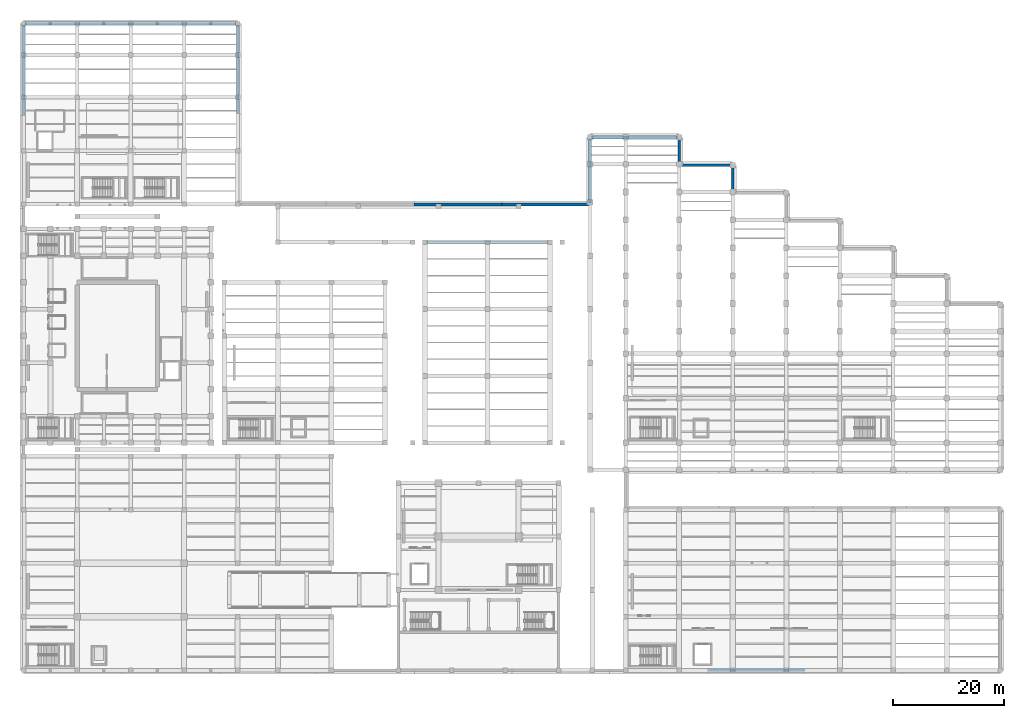
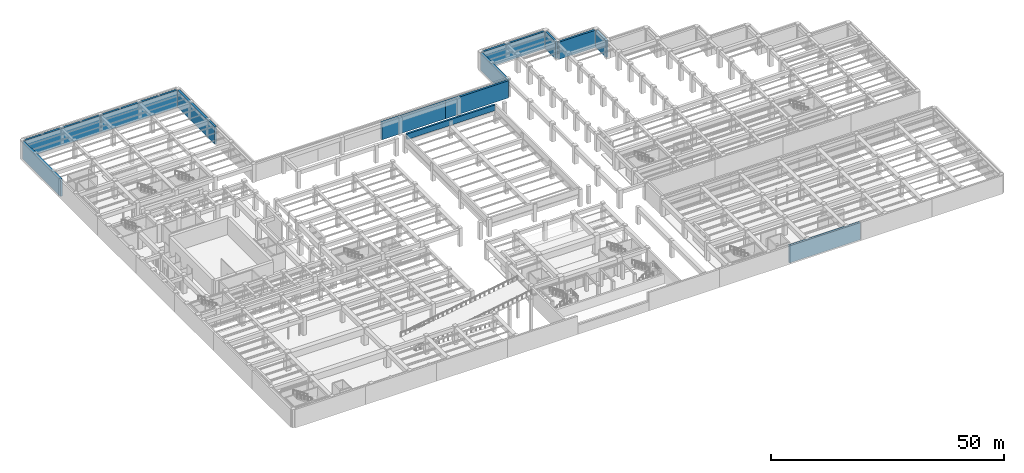
# One storey, part 28 of 45: 13 walls.
"""IFC4 building model written with IfcOpenShell, lengths in metres."""

from ifc_helpers import new_model, si_unit, direction, frame, frame_2d, origin, place, context, subcontext, project, spatial, rectangle, extrude, material, layer, layer_set, type_object, element, save


model = new_model("IFC4")

# Units and contexts
model_context = context("Model", 3, precision=1e-05, world=origin(), true_north=direction((0.0, 1.0)))
body_context = subcontext(model_context, "Body", "Model", "MODEL_VIEW")
ifc_project = project(units=[si_unit("LENGTHUNIT", "METRE"), si_unit("AREAUNIT", "SQUARE_METRE"), si_unit("VOLUMEUNIT", "CUBIC_METRE"), si_unit("PLANEANGLEUNIT", "RADIAN"), si_unit("MASSUNIT", "GRAM", prefix="KILO")], contexts=[model_context])

# Site, building, storey
site_placement = place(None, origin())
site = spatial("IfcSite", under=ifc_project, at=site_placement, CompositionType="ELEMENT")
building_placement = place(site_placement, origin())
building = spatial("IfcBuilding", under=site, at=building_placement, Name="Mavantir Sound Aquarium", CompositionType="ELEMENT")
storey_placement = place(building_placement, frame((0.0, 0.0, -4.800048828125)))
storey = spatial("IfcBuildingStorey", under=building, at=storey_placement, Name="B1", CompositionType="ELEMENT", Elevation=-4.800048828125)

# Walls
ifc_material = material(Name="Concrete C40/50", Category="concrete")
ifc_layer = layer(ifc_material, 0.5, Name="Concrete C40/50")
ifc_layer_set = layer_set([ifc_layer], Name="Concrete C40/50")
wall_type = type_object("IfcWallType", Name="SW-RET-500", PredefinedType="USERDEFINED", material=ifc_layer_set)
wall_1_placement = place(storey_placement, frame((0.0, 99.428955078125, 0.0), z_axis=(0.0, 0.0, 1.0), x_axis=(0.0, 1.0, 0.0)))
element("IfcWall", 1, at=wall_1_placement, inside=storey, type_object=wall_type, Name="B1 perimeter plinth retaining wall 14", ObjectType="RETAINING WALL", PredefinedType="USERDEFINED", context=body_context, shape_type="SweptSolid", body=[
    extrude(rectangle(XDim=16.291015625, YDim=0.5, at=frame_2d((8.1455078125, 0.0))), origin(), (0.0, 0.0, 1.0), 4.5),
])
wall_2_placement = place(storey_placement, frame((0.280029296875, 116.0, 0.0), z_axis=(0.0, 0.0, 1.0), x_axis=(1.0, 0.0, 0.0)))
element("IfcWall", 2, at=wall_2_placement, inside=storey, type_object=wall_type, Name="B1 perimeter plinth retaining wall 16", ObjectType="RETAINING WALL", PredefinedType="USERDEFINED", context=body_context, shape_type="SweptSolid", body=[
    extrude(rectangle(XDim=18.919921875, YDim=0.5, at=frame_2d((9.4599609375, 0.0))), origin(), (0.0, 0.0, 1.0), 4.5),
])
wall_3_placement = place(storey_placement, frame((19.199951171875, 116.0, 0.0), z_axis=(0.0, 0.0, 1.0), x_axis=(1.0, 0.0, 0.0)))
element("IfcWall", 3, at=wall_3_placement, inside=storey, type_object=wall_type, Name="B1 perimeter plinth retaining wall 18", ObjectType="RETAINING WALL", PredefinedType="USERDEFINED", context=body_context, shape_type="SweptSolid", body=[
    extrude(rectangle(XDim=18.920166015625, YDim=0.5, at=frame_2d((9.4599609375, 0.0))), origin(), (0.0, 0.0, 1.0), 4.5),
])
wall_4_placement = place(storey_placement, frame((38.39990234375, 115.719970703125, 0.0), z_axis=(0.0, 0.0, 1.0), x_axis=(0.0, -1.0, 0.0)))
element("IfcWall", 4, at=wall_4_placement, inside=storey, type_object=wall_type, Name="B1 perimeter plinth retaining wall 20", ObjectType="RETAINING WALL", PredefinedType="USERDEFINED", context=body_context, shape_type="SweptSolid", body=[
    extrude(rectangle(XDim=15.945068359375, YDim=0.5, at=frame_2d((7.97265625, 0.0))), origin(), (0.0, 0.0, 1.0), 4.5),
])
wall_5_placement = place(storey_placement, frame((70.0, 83.550048828125, 0.0), z_axis=(0.0, 0.0, 1.0), x_axis=(1.0, 0.0, 0.0)))
element("IfcWall", 5, at=wall_5_placement, inside=storey, type_object=wall_type, Name="B1 perimeter plinth retaining wall 28", ObjectType="RETAINING WALL", PredefinedType="USERDEFINED", context=body_context, shape_type="SweptSolid", body=[
    extrude(rectangle(XDim=15.800048828125, YDim=0.5, at=frame_2d((7.89990234375, 0.0))), origin(), (0.0, 0.0, 1.0), 4.5),
])
wall_6_placement = place(storey_placement, frame((85.800048828125, 83.550048828125, 0.0), z_axis=(0.0, 0.0, 1.0), x_axis=(1.0, 0.0, 0.0)))
element("IfcWall", 6, at=wall_6_placement, inside=storey, type_object=wall_type, Name="B1 perimeter plinth retaining wall 30", ObjectType="RETAINING WALL", PredefinedType="USERDEFINED", context=body_context, shape_type="SweptSolid", body=[
    extrude(rectangle(XDim=15.52001953125, YDim=0.5, at=frame_2d((7.760009765625, 0.0))), origin(), (0.0, 0.0, 1.0), 4.5),
])
wall_7_placement = place(storey_placement, frame((101.60009765625, 83.830078125, 0.0), z_axis=(0.0, 0.0, 1.0), x_axis=(0.0, 1.0, 0.0)))
element("IfcWall", 7, at=wall_7_placement, inside=storey, type_object=wall_type, Name="B1 perimeter plinth retaining wall 32", ObjectType="RETAINING WALL", PredefinedType="USERDEFINED", context=body_context, shape_type="SweptSolid", body=[
    extrude(rectangle(XDim=11.489990234375, YDim=0.5, at=frame_2d((5.7451171875, 0.0))), origin(), (0.0, 0.0, 1.0), 4.5),
])
wall_8_placement = place(storey_placement, frame((101.8798828125, 95.60009765625, 0.0), z_axis=(0.0, 0.0, 1.0), x_axis=(1.0, 0.0, 0.0)))
element("IfcWall", 8, at=wall_8_placement, inside=storey, type_object=wall_type, Name="B1 perimeter plinth retaining wall 34", ObjectType="RETAINING WALL", PredefinedType="USERDEFINED", context=body_context, shape_type="SweptSolid", body=[
    extrude(rectangle(XDim=15.440185546875, YDim=0.5, at=frame_2d((7.72021484375, 0.0))), origin(), (0.0, 0.0, 1.0), 4.5),
])
wall_9_placement = place(storey_placement, frame((117.60009765625, 95.320068359375, 0.0), z_axis=(0.0, 0.0, 1.0), x_axis=(0.0, -1.0, 0.0)))
element("IfcWall", 9, at=wall_9_placement, inside=storey, type_object=wall_type, Name="B1 perimeter plinth retaining wall 36", ObjectType="RETAINING WALL", PredefinedType="USERDEFINED", context=body_context, shape_type="SweptSolid", body=[
    extrude(rectangle(XDim=4.440185546875, YDim=0.5, at=frame_2d((2.22021484375, 0.0))), origin(), (0.0, 0.0, 1.0), 4.5),
])
wall_10_placement = place(storey_placement, frame((117.8798828125, 90.60009765625, 0.0), z_axis=(0.0, 0.0, 1.0), x_axis=(1.0, 0.0, 0.0)))
element("IfcWall", 10, at=wall_10_placement, inside=storey, type_object=wall_type, Name="B1 perimeter plinth retaining wall 38", ObjectType="RETAINING WALL", PredefinedType="USERDEFINED", context=body_context, shape_type="SweptSolid", body=[
    extrude(rectangle(XDim=9.0400390625, YDim=0.5, at=frame_2d((4.52001953125, 0.0))), origin(), (0.0, 0.0, 1.0), 4.5),
])
wall_11_placement = place(storey_placement, frame((127.199951171875, 90.320068359375, 0.0), z_axis=(0.0, 0.0, 1.0), x_axis=(0.0, -1.0, 0.0)))
element("IfcWall", 11, at=wall_11_placement, inside=storey, type_object=wall_type, Name="B1 perimeter plinth retaining wall 40", ObjectType="RETAINING WALL", PredefinedType="USERDEFINED", context=body_context, shape_type="SweptSolid", body=[
    extrude(rectangle(XDim=4.440185546875, YDim=0.5, at=frame_2d((2.22021484375, 0.0))), origin(), (0.0, 0.0, 1.0), 4.5),
])
wall_12_placement = place(storey_placement, frame((140.159912109375, 0.0, 0.0), z_axis=(0.0, 0.0, 1.0), x_axis=(-1.0, 0.0, 0.0)))
element("IfcWall", 12, at=wall_12_placement, inside=storey, type_object=wall_type, Name="B1 perimeter plinth retaining wall 90", ObjectType="RETAINING WALL", PredefinedType="USERDEFINED", context=body_context, shape_type="SweptSolid", body=[
    extrude(rectangle(XDim=17.52001953125, YDim=0.5, at=frame_2d((8.760009765625, 0.0))), origin(), (0.0, 0.0, 1.0), 4.5),
])
wall_13_placement = place(storey_placement, frame((72.300048828125, 76.800048828125, 3.300048828125), z_axis=(0.0, 0.0, 1.0), x_axis=(1.0, 0.0, 0.0)))
element("IfcWall", 13, at=wall_13_placement, inside=storey, type_object=wall_type, Name="B1 sculpted court retaining wall RW-BASIN-N", ObjectType="RETAINING WALL", PredefinedType="USERDEFINED", context=body_context, shape_type="SweptSolid", body=[
    extrude(rectangle(XDim=21.800048828125, YDim=0.449951171875, at=frame_2d((10.89990234375, 0.0))), origin(), (0.0, 0.0, 1.0), 1.5),
])

save(model, "model.ifc")
